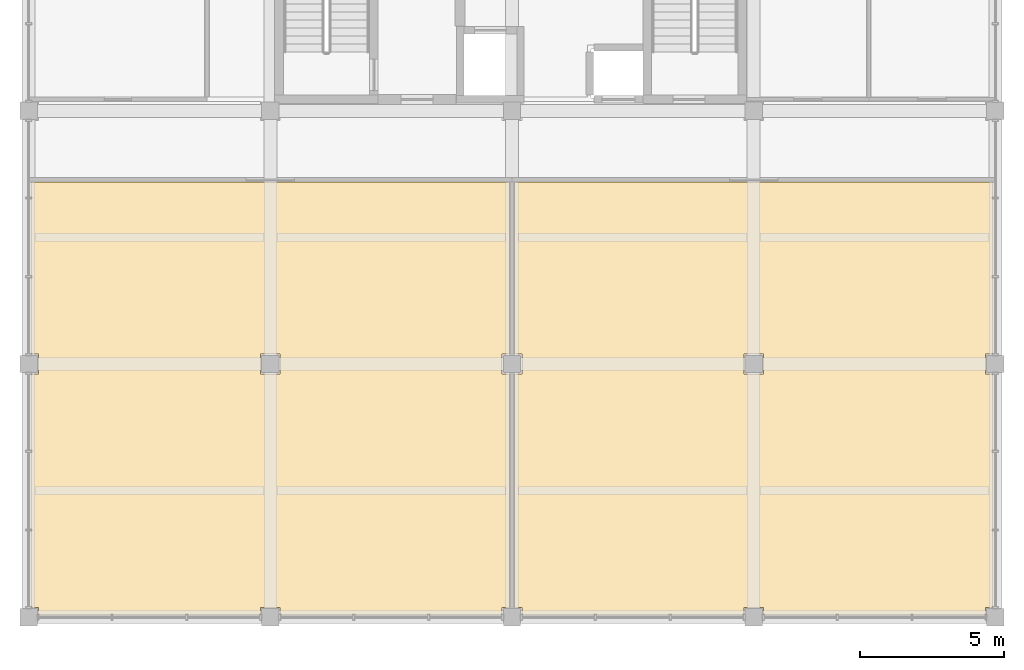
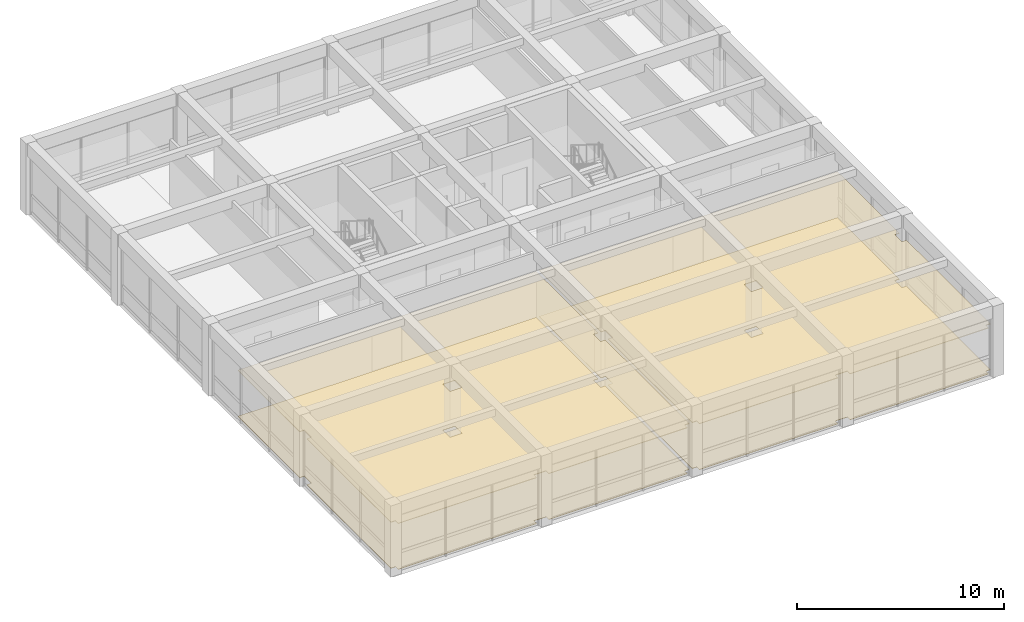
# One storey, part 11 of 14: 4 coverings.
"""IFC4 building model written with IfcOpenShell, lengths in metres."""

from ifc_helpers import new_model, si_unit, direction, frame, origin, place, context, subcontext, project, spatial, polyline, outline, extrude, material, layer, layer_set, type_object, element, save


model = new_model("IFC4")

# Units and contexts
model_context = context("Model", 3, precision=1e-05, world=origin(), true_north=direction((0.0, 1.0)))
body_context = subcontext(model_context, "Body", "Model", "MODEL_VIEW")
ifc_project = project(units=[si_unit("LENGTHUNIT", "METRE"), si_unit("AREAUNIT", "SQUARE_METRE"), si_unit("VOLUMEUNIT", "CUBIC_METRE"), si_unit("PLANEANGLEUNIT", "RADIAN"), si_unit("MASSUNIT", "GRAM", prefix="KILO")], contexts=[model_context])

# Site, building, storey
site_placement = place(None, origin())
site = spatial("IfcSite", under=ifc_project, at=site_placement, CompositionType="ELEMENT")
building_placement = place(site_placement, origin())
building = spatial("IfcBuilding", under=site, at=building_placement, Name="Kemercrest Conservatory and Botanical Centre", CompositionType="ELEMENT")
storey_placement = place(building_placement, frame((0.0, 0.0, 63.800048828125)))
storey = spatial("IfcBuildingStorey", under=building, at=storey_placement, Name="L16", CompositionType="ELEMENT", Elevation=63.800048828125)

# Coverings
ifc_material_1 = material(Name="Perforated acoustic gypsum and mineral-fibre suspended ceiling", Category="gypsum")
ifc_layer_1 = layer(ifc_material_1, 0.034912109375)
ifc_layer_set_1 = layer_set([ifc_layer_1], Name="Perforated acoustic gypsum and mineral-fibre suspended ceiling")
covering_type_1 = type_object("IfcCoveringType", Name="CV-CLG035", PredefinedType="CEILING", material=ifc_layer_set_1)
covering_1_placement = place(storey_placement, frame((0.0, 0.0, 2.699951171875)))
element("IfcCovering", 1, at=covering_1_placement, inside=storey, type_object=covering_type_1, Name="Harbour Observatory suspended acoustic ceiling", PredefinedType="CEILING", context=body_context, shape_type="SweptSolid", body=[
    extrude(outline(polyline([(150.4599609375, 87.5400390625), (151.139892578125, 87.5400390625), (151.139892578125, 87.280029296875), (158.860107421875, 87.280029296875), (158.860107421875, 87.5400390625), (159.1201171875, 87.5400390625), (159.1201171875, 95.659912109375), (158.860107421875, 95.659912109375), (158.860107421875, 96.340087890625), (159.1201171875, 96.340087890625), (159.1201171875, 102.320068359375), (142.47998046875, 102.320068359375), (142.47998046875, 96.340087890625), (142.739990234375, 96.340087890625), (142.739990234375, 95.659912109375), (142.47998046875, 95.659912109375), (142.47998046875, 87.5400390625), (142.739990234375, 87.5400390625), (142.739990234375, 87.280029296875), (150.4599609375, 87.280029296875), (150.4599609375, 87.5400390625)]), holes=[polyline([(150.4599609375, 95.659912109375), (150.4599609375, 96.340087890625), (151.139892578125, 96.340087890625), (151.139892578125, 95.659912109375), (150.4599609375, 95.659912109375)])]), origin(), (0.0, 0.0, 1.0), 0.034912109375),
])
covering_2_placement = place(storey_placement, frame((0.0, 0.0, 2.699951171875)))
element("IfcCovering", 2, at=covering_2_placement, inside=storey, type_object=covering_type_1, Name="Sky Botanical Cafe suspended acoustic ceiling", PredefinedType="CEILING", context=body_context, shape_type="SweptSolid", body=[
    extrude(outline(polyline([(167.260009765625, 87.5400390625), (167.93994140625, 87.5400390625), (167.93994140625, 87.280029296875), (175.659912109375, 87.280029296875), (175.659912109375, 87.5400390625), (175.919921875, 87.5400390625), (175.919921875, 95.659912109375), (175.659912109375, 95.659912109375), (175.659912109375, 96.340087890625), (175.919921875, 96.340087890625), (175.919921875, 102.320068359375), (159.280029296875, 102.320068359375), (159.280029296875, 96.340087890625), (159.5400390625, 96.340087890625), (159.5400390625, 95.659912109375), (159.280029296875, 95.659912109375), (159.280029296875, 87.5400390625), (159.5400390625, 87.5400390625), (159.5400390625, 87.280029296875), (167.260009765625, 87.280029296875), (167.260009765625, 87.5400390625)]), holes=[polyline([(167.260009765625, 96.340087890625), (167.93994140625, 96.340087890625), (167.93994140625, 95.659912109375), (167.260009765625, 95.659912109375), (167.260009765625, 96.340087890625)])]), origin(), (0.0, 0.0, 1.0), 0.034912109375),
])
ifc_material_2 = material(Name="Polished limestone terrazzo and seamless laboratory epoxy flooring", Category="masonry")
ifc_layer_2 = layer(ifc_material_2, 0.02001953125)
ifc_layer_set_2 = layer_set([ifc_layer_2], Name="Polished limestone terrazzo and seamless laboratory epoxy flooring")
covering_type_2 = type_object("IfcCoveringType", Name="CV-FLR020", PredefinedType="FLOORING", material=ifc_layer_set_2)
covering_3_placement = place(storey_placement, origin())
element("IfcCovering", 3, at=covering_3_placement, inside=storey, type_object=covering_type_2, Name="Harbour Observatory floor finish", PredefinedType="FLOORING", context=body_context, shape_type="SweptSolid", body=[
    extrude(outline(polyline([(150.4599609375, 87.5400390625), (151.139892578125, 87.5400390625), (151.139892578125, 87.280029296875), (158.860107421875, 87.280029296875), (158.860107421875, 87.5400390625), (159.1201171875, 87.5400390625), (159.1201171875, 95.659912109375), (158.860107421875, 95.659912109375), (158.860107421875, 96.340087890625), (159.1201171875, 96.340087890625), (159.1201171875, 102.320068359375), (142.47998046875, 102.320068359375), (142.47998046875, 96.340087890625), (142.739990234375, 96.340087890625), (142.739990234375, 95.659912109375), (142.47998046875, 95.659912109375), (142.47998046875, 87.5400390625), (142.739990234375, 87.5400390625), (142.739990234375, 87.280029296875), (150.4599609375, 87.280029296875), (150.4599609375, 87.5400390625)]), holes=[polyline([(150.4599609375, 95.659912109375), (150.4599609375, 96.340087890625), (151.139892578125, 96.340087890625), (151.139892578125, 95.659912109375), (150.4599609375, 95.659912109375)])]), origin(), (0.0, 0.0, 1.0), 0.02001953125),
])
covering_4_placement = place(storey_placement, origin())
element("IfcCovering", 4, at=covering_4_placement, inside=storey, type_object=covering_type_2, Name="Sky Botanical Cafe floor finish", PredefinedType="FLOORING", context=body_context, shape_type="SweptSolid", body=[
    extrude(outline(polyline([(167.260009765625, 87.5400390625), (167.93994140625, 87.5400390625), (167.93994140625, 87.280029296875), (175.659912109375, 87.280029296875), (175.659912109375, 87.5400390625), (175.919921875, 87.5400390625), (175.919921875, 95.659912109375), (175.659912109375, 95.659912109375), (175.659912109375, 96.340087890625), (175.919921875, 96.340087890625), (175.919921875, 102.320068359375), (159.280029296875, 102.320068359375), (159.280029296875, 96.340087890625), (159.5400390625, 96.340087890625), (159.5400390625, 95.659912109375), (159.280029296875, 95.659912109375), (159.280029296875, 87.5400390625), (159.5400390625, 87.5400390625), (159.5400390625, 87.280029296875), (167.260009765625, 87.280029296875), (167.260009765625, 87.5400390625)]), holes=[polyline([(167.260009765625, 96.340087890625), (167.93994140625, 96.340087890625), (167.93994140625, 95.659912109375), (167.260009765625, 95.659912109375), (167.260009765625, 96.340087890625)])]), origin(), (0.0, 0.0, 1.0), 0.02001953125),
])

save(model, "model.ifc")
